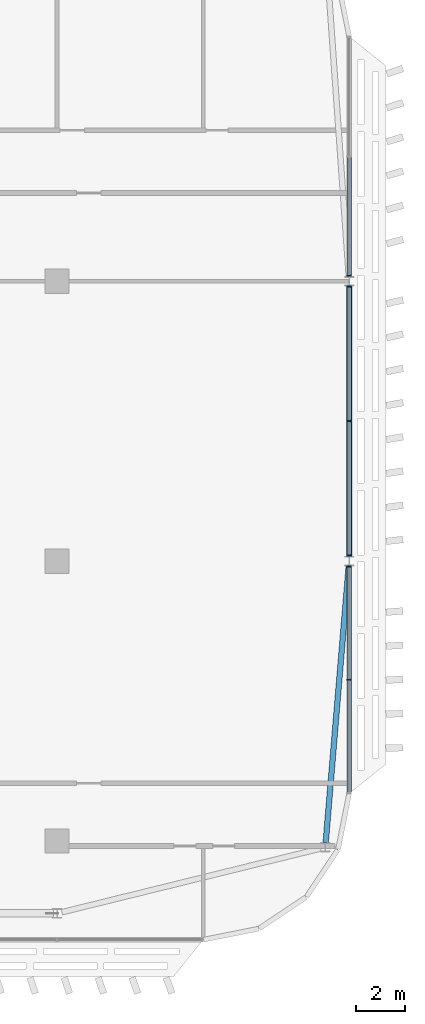
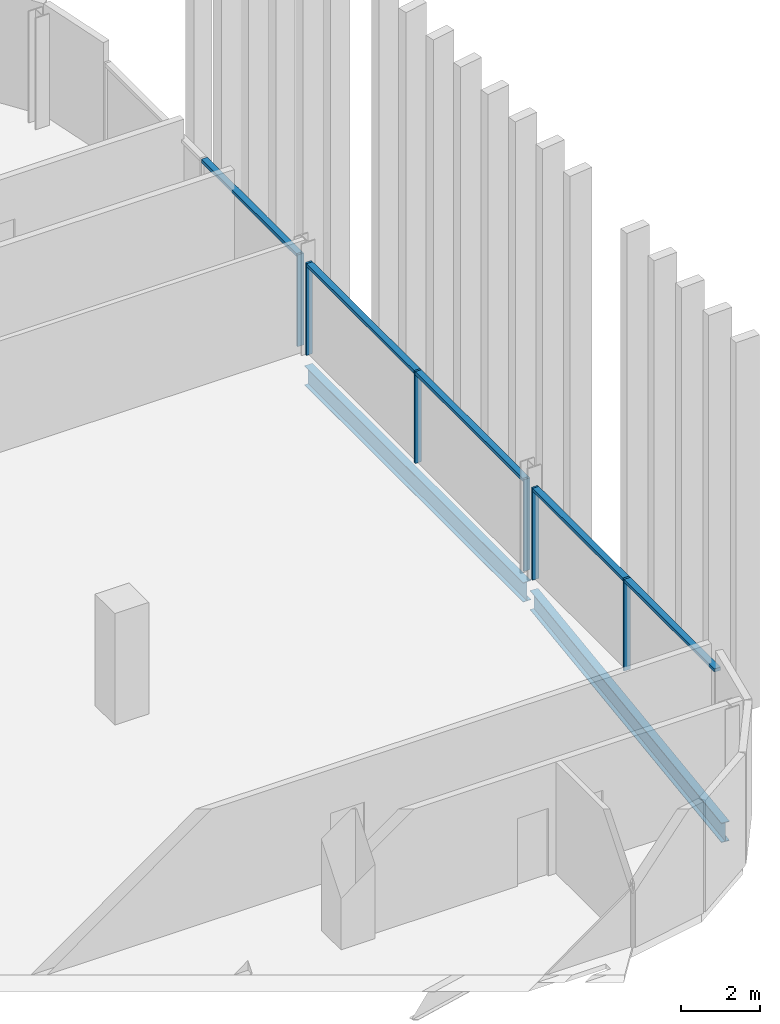
# One storey, part 12 of 32: 11 members, 2 beams, 3 elements without a shape of their own.
"""IFC4 building model written with IfcOpenShell, lengths in metres."""

import ifcopenshell
import ifcopenshell.guid

model = None  # the IFC model being written
_history = None  # IfcOwnerHistory: only IFC2X3 demands one
_inside = {}  # id of a spatial element -> (the spatial element, [elements in it])
_under = {}  # id of a project, library or spatial element -> (it, [spatial elements below it])
_declared = {}  # id of a project -> (the project, [libraries it declares])
_typed = {}  # id of a type object -> (the type object, [elements of that type])
_made_of = {}  # id of a material, layer set ... -> (it, [elements and type objects made of it])


def new_model(schema):
    """Start an empty IFC model of exactly this schema.

    Asked for "IFC4X3", IfcOpenShell would pick the latest addendum, in which some entities
    have other attributes; the version numbers below select the first issue.
    IFC2X3 requires an IfcOwnerHistory on every rooted entity: one is made here for all.
    """
    global model, _history
    if schema == "IFC4X3":
        model = ifcopenshell.file(schema_version=(4, 3, 0, 0))
    else:
        model = ifcopenshell.file(schema=schema)
    _inside.clear()
    _under.clear()
    _declared.clear()
    _typed.clear()
    _made_of.clear()
    _history = None
    if model.schema == "IFC2X3":
        org = make("IfcOrganization", Name="unknown")
        user = make(
            "IfcPersonAndOrganization",
            ThePerson=make("IfcPerson", FamilyName="unknown"),
            TheOrganization=org,
        )
        app = make(
            "IfcApplication",
            ApplicationDeveloper=org,
            Version="unknown",
            ApplicationFullName="unknown",
            ApplicationIdentifier="unknown",
        )
        _history = make(
            "IfcOwnerHistory",
            OwningUser=user,
            OwningApplication=app,
            ChangeAction="ADDED",
            CreationDate=0,
        )
    return model


def make(cls, **values):
    """One entity of the class cls with the attributes given. An attribute that is None is left unset."""
    return model.create_entity(
        cls, **{name: value for name, value in values.items() if value is not None}
    )


def rooted(cls, **values):
    """An entity with a GlobalId (a new one), such as an element, a storey or a relation."""
    return make(cls, GlobalId=ifcopenshell.guid.new(), OwnerHistory=_history, **values)


def si_unit(unit_type, name, prefix=None):
    """IfcSIUnit, for example si_unit("LENGTHUNIT", "METRE", prefix="MILLI")."""
    return make("IfcSIUnit", UnitType=unit_type, Prefix=prefix, Name=name)


def assignment(units):
    """IfcUnitAssignment: the units of a project."""
    return None if units is None else make("IfcUnitAssignment", Units=units)


def point(xyz):
    """IfcCartesianPoint."""
    return None if xyz is None else make("IfcCartesianPoint", Coordinates=xyz)


def direction(xyz):
    """IfcDirection."""
    return None if xyz is None else make("IfcDirection", DirectionRatios=xyz)


def frame(location, z_axis=None, x_axis=None):
    """IfcAxis2Placement3D, a coordinate frame: its origin and axes. An axis left out is left unset."""
    return make(
        "IfcAxis2Placement3D",
        Location=point(location),
        Axis=direction(z_axis),
        RefDirection=direction(x_axis),
    )


def frame_2d(location, x_axis=None):
    """IfcAxis2Placement2D, a coordinate frame in the plane: its origin and x axis."""
    return make(
        "IfcAxis2Placement2D", Location=point(location), RefDirection=direction(x_axis)
    )


def origin():
    """The frame at (0, 0, 0) with its axes left unset."""
    return frame((0.0, 0.0, 0.0))


def origin_2d():
    """The frame at (0, 0) in the plane with its x axis left unset."""
    return frame_2d((0.0, 0.0))


def place(relative_to, where):
    """IfcLocalPlacement: puts the frame where relative to a parent placement (None: the world)."""
    return make(
        "IfcLocalPlacement", PlacementRelTo=relative_to, RelativePlacement=where
    )


def context(
    kind, dimensions, precision=None, world=None, true_north=None, identifier=None
):
    """IfcGeometricRepresentationContext, for example the 3D "Model" context."""
    return make(
        "IfcGeometricRepresentationContext",
        ContextIdentifier=identifier,
        ContextType=kind,
        CoordinateSpaceDimension=dimensions,
        Precision=precision,
        WorldCoordinateSystem=world,
        TrueNorth=true_north,
    )


def subcontext(parent, identifier, kind, view, scale=None):
    """IfcGeometricRepresentationSubContext, for example "Body" below "Model"."""
    return make(
        "IfcGeometricRepresentationSubContext",
        ContextIdentifier=identifier,
        ContextType=kind,
        ParentContext=parent,
        TargetScale=scale,
        TargetView=view,
    )


def project(units=None, contexts=None):
    """IfcProject with its units and contexts."""
    return rooted(
        "IfcProject",
        Name="project",
        RepresentationContexts=contexts,
        UnitsInContext=assignment(units),
    )


def spatial(cls, under=None, at=None, **own):
    """A site, building, storey or space (cls), placed at a placement, below another one or the project."""
    s = rooted(cls, ObjectPlacement=at, **own)
    if under is not None:
        _under.setdefault(under.id(), (under, []))[1].append(s)
    return s


def profile(cls, at=None, kind="AREA", **sizes):
    """A parametric profile (cls). Its sizes go by their IFC names, for example OverallWidth=200.0."""
    return make(cls, ProfileType=kind, Position=at, **sizes)


def rectangle(**sizes):
    """IfcRectangleProfileDef."""
    return profile("IfcRectangleProfileDef", **sizes)


def i_section(**sizes):
    """IfcIShapeProfileDef."""
    return profile("IfcIShapeProfileDef", **sizes)


def extrude(swept, where, along, depth):
    """IfcExtrudedAreaSolid: the profile swept, set in the frame where, extruded along a direction by depth."""
    return make(
        "IfcExtrudedAreaSolid",
        SweptArea=swept,
        Position=where,
        ExtrudedDirection=direction(along),
        Depth=depth,
    )


def shape(context_of_items, identifier, shape_type, items):
    """IfcShapeRepresentation: the items that make up one representation, for example the "Body"."""
    return make(
        "IfcShapeRepresentation",
        ContextOfItems=context_of_items,
        RepresentationIdentifier=identifier,
        RepresentationType=shape_type,
        Items=items,
    )


def material(Name=None, Category=None):
    """IfcMaterial."""
    return make("IfcMaterial", Name=Name, Category=Category)


def material_profile(
    of_material, cross_section, Name=None, Category=None, Priority=None
):
    """IfcMaterialProfile: a cross section and its material."""
    return make(
        "IfcMaterialProfile",
        Name=Name,
        Material=of_material,
        Profile=cross_section,
        Priority=Priority,
        Category=Category,
    )


def profile_set(profiles, Name=None, composite=None):
    """IfcMaterialProfileSet."""
    return make(
        "IfcMaterialProfileSet",
        Name=Name,
        MaterialProfiles=profiles,
        CompositeProfile=composite,
    )


def made_of(thing, what):
    """Note that an element or type object is made of a material, layer set ...; save() writes the relation."""
    if what is not None:
        _made_of.setdefault(what.id(), (what, []))[1].append(thing)
    return thing


def type_object(cls, material=None, **own):
    """A type object (cls), such as IfcWallType, which elements share."""
    return made_of(rooted(cls, **own), material)


def element(
    cls,
    number,
    at=None,
    inside=None,
    cuts=None,
    type_object=None,
    material=None,
    context=None,
    identifier="Body",
    shape_type=None,
    held_by="IfcProductDefinitionShape",
    body=None,
    shapes=None,
    **own,
):
    """One element of the class cls, such as IfcWall. Its Tag is "e" and its number.

    at: its placement. inside: the storey or other place that contains it. cuts: it is an
    opening in that element (IfcRelVoidsElement). A single representation is given by context,
    identifier, shape_type and body (its items); several are given by shapes. held_by: the class
    of the entity that holds the representations. save() writes the other relations.
    """
    e = rooted(cls, Tag="e%d" % number, ObjectPlacement=at, **own)
    if body is not None:
        shapes = [shape(context, identifier, shape_type, body)]
    if shapes is not None:
        e.Representation = make(held_by, Representations=shapes)
    if inside is not None:
        _inside.setdefault(inside.id(), (inside, []))[1].append(e)
    if cuts is not None:
        rooted(
            "IfcRelVoidsElement", RelatingBuildingElement=cuts, RelatedOpeningElement=e
        )
    if type_object is not None:
        _typed.setdefault(type_object.id(), (type_object, []))[1].append(e)
    return made_of(e, material)


def aggregate(whole, parts):
    """IfcRelAggregates: a whole, such as a stair, and the parts it consists of."""
    return rooted("IfcRelAggregates", RelatingObject=whole, RelatedObjects=parts)


def save(model, path):
    """Write the relations noted so far, then the file.

    IfcRelAggregates (storeys below a building ...), IfcRelContainedInSpatialStructure (elements
    in a storey), IfcRelDefinesByType, IfcRelAssociatesMaterial and IfcRelDeclares: one each for
    every whole, place, type object, material and project.
    """
    for whole, parts in _under.values():
        aggregate(whole, parts)
    for where, things in _inside.values():
        rooted(
            "IfcRelContainedInSpatialStructure",
            RelatedElements=things,
            RelatingStructure=where,
        )
    for kind, things in _typed.values():
        rooted("IfcRelDefinesByType", RelatedObjects=things, RelatingType=kind)
    for what, things in _made_of.values():
        rooted("IfcRelAssociatesMaterial", RelatedObjects=things, RelatingMaterial=what)
    for by, libraries in _declared.values():
        rooted("IfcRelDeclares", RelatingContext=by, RelatedDefinitions=libraries)
    model.write(path)


model = new_model("IFC4")

# Units and contexts
model_context = context("Model", 3, precision=1e-05, world=origin(), true_north=direction((0.0, 1.0)))
body_context = subcontext(model_context, "Body", "Model", "MODEL_VIEW")
ifc_project = project(units=[si_unit("LENGTHUNIT", "METRE"), si_unit("AREAUNIT", "SQUARE_METRE"), si_unit("VOLUMEUNIT", "CUBIC_METRE"), si_unit("PLANEANGLEUNIT", "RADIAN"), si_unit("MASSUNIT", "GRAM", prefix="KILO")], contexts=[model_context])

# Site, building, storey
site_placement = place(None, origin())
site = spatial("IfcSite", under=ifc_project, at=site_placement, CompositionType="ELEMENT")
building_placement = place(site_placement, origin())
building = spatial("IfcBuilding", under=site, at=building_placement, Name="Mahtab Terrace Research Tower", CompositionType="ELEMENT")
storey_placement = place(building_placement, frame((0.0, 0.0, 243.800048828125)))
storey = spatial("IfcBuildingStorey", under=building, at=storey_placement, Name="L59", CompositionType="ELEMENT", Elevation=243.800048828125)

# Curtain wall, members
ifc_material_1 = material(Name="Office ribbon curtain wall")
curtain_wall_type = type_object("IfcCurtainWallType", Name="Office ribbon curtain wall", PredefinedType="NOTDEFINED", material=ifc_material_1)
curtain_wall_1_placement = place(storey_placement, origin())
curtain_wall_1 = element("IfcCurtainWall", 1, at=curtain_wall_1_placement, inside=storey, type_object=curtain_wall_type, Name="EN.L59.18.20", PredefinedType="NOTDEFINED")
ifc_material_2 = material(Name="Natural anodised aluminium", Category="aluminium")
ifc_material_profile_1 = material_profile(ifc_material_2, rectangle(XDim=0.179931640625, YDim=0.06005859375, at=origin_2d()), Name="MULLION 60x180")
ifc_profile_set_1 = profile_set([ifc_material_profile_1], Name="Natural anodised aluminium")
member_type_1 = type_object("IfcMemberType", Name="Office ribbon curtain wall mullion", PredefinedType="MULLION", material=ifc_profile_set_1)
member_1_placement = place(storey_placement, frame((54.0, -4.87451171875, 0.0), z_axis=(0.0, 0.0, 1.0), x_axis=(-1.0, 0.0, 0.0)))
member_1 = element("IfcMember", 2, at=member_1_placement, type_object=member_type_1, Name="CWO-7 mullion 2", PredefinedType="MULLION", context=body_context, shape_type="SweptSolid", body=[
    extrude(rectangle(XDim=0.179931640625, YDim=0.06005859375, at=origin_2d()), origin(), (0.0, 0.0, 1.0), 2.852783203125),
])
member_2_placement = place(storey_placement, frame((54.0, -0.222900390625, 0.0), z_axis=(0.0, 0.0, 1.0), x_axis=(-1.0, 0.0, 0.0)))
member_2 = element("IfcMember", 3, at=member_2_placement, type_object=member_type_1, Name="CWO-7 mullion 3", PredefinedType="MULLION", context=body_context, shape_type="SweptSolid", body=[
    extrude(rectangle(XDim=0.179931640625, YDim=0.06005859375, at=origin_2d()), origin(), (0.0, 0.0, 1.0), 2.852783203125),
])

curtain_wall_2_placement = place(storey_placement, origin())
curtain_wall_2 = element("IfcCurtainWall", 4, at=curtain_wall_2_placement, inside=storey, type_object=curtain_wall_type, Name="EN.L59.18.21", PredefinedType="NOTDEFINED")
member_3_placement = place(storey_placement, frame((54.0, 0.222900390625, 0.0), z_axis=(0.0, 0.0, 1.0), x_axis=(-1.0, 0.0, 0.0)))
member_3 = element("IfcMember", 5, at=member_3_placement, type_object=member_type_1, Name="CWO-7 mullion 1", PredefinedType="MULLION", context=body_context, shape_type="SweptSolid", body=[
    extrude(rectangle(XDim=0.179931640625, YDim=0.06005859375, at=origin_2d()), origin(), (0.0, 0.0, 1.0), 2.852783203125),
])
member_4_placement = place(storey_placement, frame((54.0, 5.75, 0.0), z_axis=(0.0, 0.0, 1.0), x_axis=(-1.0, 0.0, 0.0)))
member_4 = element("IfcMember", 6, at=member_4_placement, type_object=member_type_1, Name="CWO-7 mullion 2", PredefinedType="MULLION", context=body_context, shape_type="SweptSolid", body=[
    extrude(rectangle(XDim=0.179931640625, YDim=0.06005859375, at=origin_2d()), origin(), (0.0, 0.0, 1.0), 2.852783203125),
])
member_5_placement = place(storey_placement, frame((54.0, 11.277099609375, 0.0), z_axis=(0.0, 0.0, 1.0), x_axis=(-1.0, 0.0, 0.0)))
member_5 = element("IfcMember", 7, at=member_5_placement, type_object=member_type_1, Name="CWO-7 mullion 3", PredefinedType="MULLION", context=body_context, shape_type="SweptSolid", body=[
    extrude(rectangle(XDim=0.179931640625, YDim=0.06005859375, at=origin_2d()), origin(), (0.0, 0.0, 1.0), 2.852783203125),
])

# Curtain wall, member
curtain_wall_3_placement = place(storey_placement, origin())
curtain_wall_3 = element("IfcCurtainWall", 8, at=curtain_wall_3_placement, inside=storey, type_object=curtain_wall_type, Name="EN.L59.18.22", PredefinedType="NOTDEFINED")
member_6_placement = place(storey_placement, frame((54.0, 11.722900390625, 0.0), z_axis=(0.0, 0.0, 1.0), x_axis=(-1.0, 0.0, 0.0)))
member_6 = element("IfcMember", 9, at=member_6_placement, type_object=member_type_1, Name="CWO-7 mullion 1", PredefinedType="MULLION", context=body_context, shape_type="SweptSolid", body=[
    extrude(rectangle(XDim=0.179931640625, YDim=0.06005859375, at=origin_2d()), origin(), (0.0, 0.0, 1.0), 2.852783203125),
])

# Member
ifc_material_profile_2 = material_profile(ifc_material_2, rectangle(XDim=0.179931640625, YDim=0.10009765625, at=origin_2d()), Name="TRANSOM 100x180")
ifc_profile_set_2 = profile_set([ifc_material_profile_2], Name="Natural anodised aluminium")
member_type_2 = type_object("IfcMemberType", Name="Office ribbon curtain wall transom", PredefinedType="USERDEFINED", material=ifc_profile_set_2)
member_7_placement = place(storey_placement, frame((54.0, -9.49609375, 2.802734375), z_axis=(0.0, 1.0, 0.0), x_axis=(-1.0, 0.0, 0.0)))
member_7 = element("IfcMember", 10, at=member_7_placement, type_object=member_type_2, Name="CWO-7 transom 1", ObjectType="TRANSOM", PredefinedType="USERDEFINED", context=body_context, shape_type="SweptSolid", body=[
    extrude(rectangle(XDim=0.179931640625, YDim=0.10009765625, at=origin_2d()), origin(), (0.0, 0.0, 1.0), 4.591552734375),
])

member_8_placement = place(storey_placement, frame((54.0, -4.844482421875, 2.802734375), z_axis=(0.0, 1.0, 0.0), x_axis=(-1.0, 0.0, 0.0)))
member_8 = element("IfcMember", 11, at=member_8_placement, type_object=member_type_2, Name="CWO-7 transom 2", ObjectType="TRANSOM", PredefinedType="USERDEFINED", context=body_context, shape_type="SweptSolid", body=[
    extrude(rectangle(XDim=0.179931640625, YDim=0.10009765625, at=origin_2d()), origin(), (0.0, 0.0, 1.0), 4.591552734375),
])

aggregate(curtain_wall_1, [member_1, member_2, member_7, member_8])

member_9_placement = place(storey_placement, frame((54.0, 0.2529296875, 2.802734375), z_axis=(0.0, 1.0, 0.0), x_axis=(-1.0, 0.0, 0.0)))
member_9 = element("IfcMember", 12, at=member_9_placement, type_object=member_type_2, Name="CWO-7 transom 1", ObjectType="TRANSOM", PredefinedType="USERDEFINED", context=body_context, shape_type="SweptSolid", body=[
    extrude(rectangle(XDim=0.179931640625, YDim=0.10009765625, at=origin_2d()), origin(), (0.0, 0.0, 1.0), 5.467041015625),
])

member_10_placement = place(storey_placement, frame((54.0, 5.780029296875, 2.802734375), z_axis=(0.0, 1.0, 0.0), x_axis=(-1.0, 0.0, 0.0)))
member_10 = element("IfcMember", 13, at=member_10_placement, type_object=member_type_2, Name="CWO-7 transom 2", ObjectType="TRANSOM", PredefinedType="USERDEFINED", context=body_context, shape_type="SweptSolid", body=[
    extrude(rectangle(XDim=0.179931640625, YDim=0.10009765625, at=origin_2d()), origin(), (0.0, 0.0, 1.0), 5.467041015625),
])

aggregate(curtain_wall_2, [member_3, member_4, member_5, member_9, member_10])

member_11_placement = place(storey_placement, frame((54.0, 11.7529296875, 2.802734375), z_axis=(0.0, 1.0, 0.0), x_axis=(-1.0, 0.0, 0.0)))
member_11 = element("IfcMember", 14, at=member_11_placement, type_object=member_type_2, Name="CWO-7 transom 1", ObjectType="TRANSOM", PredefinedType="USERDEFINED", context=body_context, shape_type="SweptSolid", body=[
    extrude(rectangle(XDim=0.179931640625, YDim=0.10009765625, at=origin_2d()), origin(), (0.0, 0.0, 1.0), 4.841552734375),
])

aggregate(curtain_wall_3, [member_6, member_11])

# Beams
ifc_material_3 = material(Name="Steel ASTM A992 Gr 50", Category="steel")
ifc_material_profile_3 = material_profile(ifc_material_3, i_section(OverallWidth=0.228271484375, OverallDepth=0.607177734375, WebThickness=0.01123046875, FlangeThickness=0.017333984375, at=origin_2d()), Name="W24X76")
ifc_profile_set_3 = profile_set([ifc_material_profile_3], Name="Steel ASTM A992 Gr 50")
beam_type = type_object("IfcBeamType", Name="W24x76 beam BS2476", PredefinedType="BEAM", material=ifc_profile_set_3)
beam_1_placement = place(storey_placement, frame((53.037109375, -11.56494140625, -0.6435546875), z_axis=(0.08296934335, 0.996552100025, 0.0), x_axis=(-0.996552100025, 0.08296934335, 0.0)))
element("IfcBeam", 15, at=beam_1_placement, inside=storey, type_object=beam_type, Name="Spandrel beam L59 20", PredefinedType="BEAM", context=body_context, shape_type="SweptSolid", body=[
    extrude(i_section(OverallWidth=0.228271484375, OverallDepth=0.607177734375, WebThickness=0.01123046875, FlangeThickness=0.017333984375, at=origin_2d()), origin(), (0.0, 0.0, 1.0), 11.4111328125),
])
beam_2_placement = place(storey_placement, frame((54.0, 0.193115234375, -0.6435546875), z_axis=(0.0, 1.0, 0.0), x_axis=(-1.0, 0.0, 0.0)))
element("IfcBeam", 16, at=beam_2_placement, inside=storey, type_object=beam_type, Name="Spandrel beam L59 21", PredefinedType="BEAM", context=body_context, shape_type="SweptSolid", body=[
    extrude(i_section(OverallWidth=0.228271484375, OverallDepth=0.607177734375, WebThickness=0.01123046875, FlangeThickness=0.017333984375, at=origin_2d()), origin(), (0.0, 0.0, 1.0), 11.11376953125),
])

save(model, "model.ifc")
